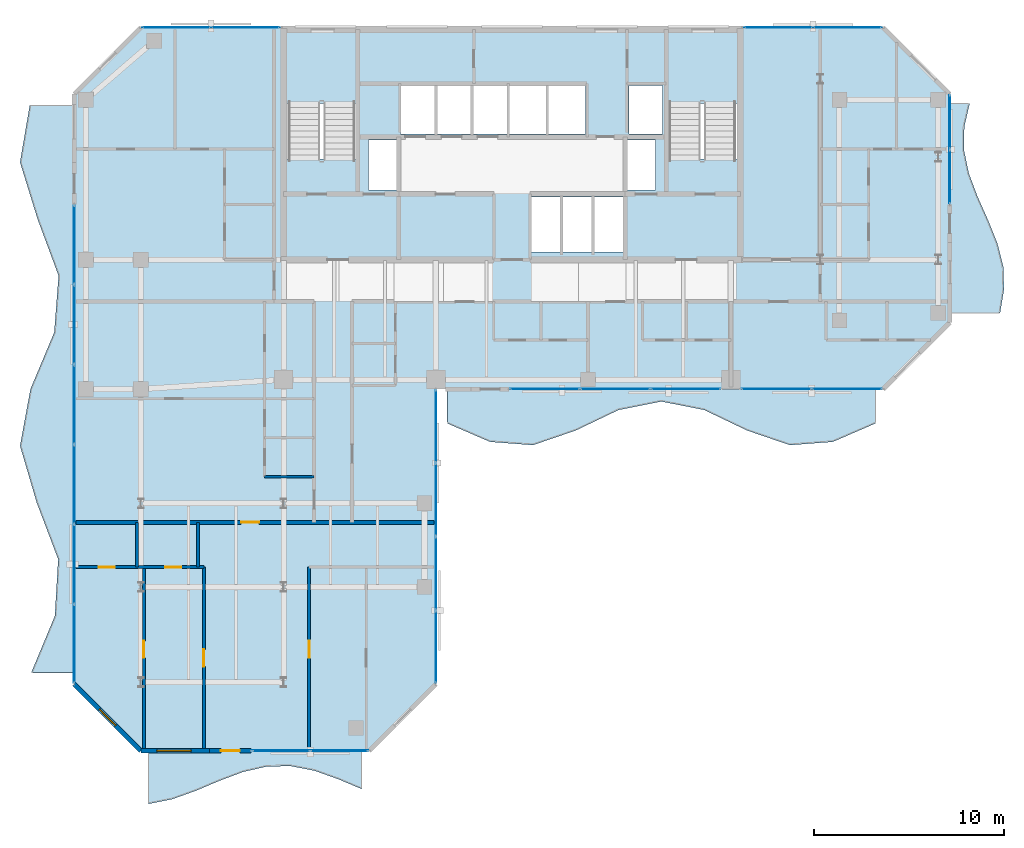
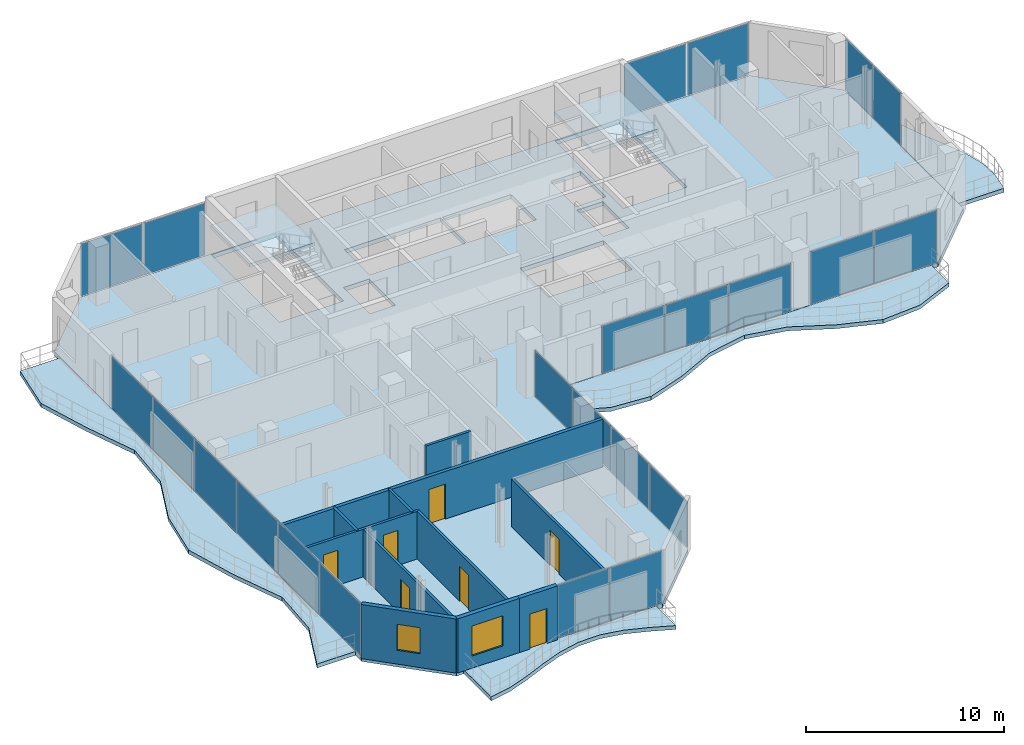
# One storey, part 17 of 24: 23 plates, 11 walls, 7 doors, 7 slabs, 2 windows, 9 openings, 10 elements without a shape of their own.
"""IFC4 building model written with IfcOpenShell, lengths in metres."""

from ifc_helpers import new_model, si_unit, direction, frame, frame_2d, origin, origin_2d, place, context, subcontext, project, spatial, polyline, rectangle, outline, extrude, material, layer, layer_set, type_object, element, fill, aggregate, save


model = new_model("IFC4")

# Units and contexts
model_context = context("Model", 3, precision=1e-05, world=origin(), true_north=direction((0.0, 1.0)))
body_context = subcontext(model_context, "Body", "Model", "MODEL_VIEW")
ifc_project = project(units=[si_unit("LENGTHUNIT", "METRE"), si_unit("AREAUNIT", "SQUARE_METRE"), si_unit("VOLUMEUNIT", "CUBIC_METRE"), si_unit("PLANEANGLEUNIT", "RADIAN"), si_unit("MASSUNIT", "GRAM", prefix="KILO")], contexts=[model_context])

# Site, building, storey
site_placement = place(None, origin())
site = spatial("IfcSite", under=ifc_project, at=site_placement, CompositionType="ELEMENT")
building_placement = place(site_placement, origin())
building = spatial("IfcBuilding", under=site, at=building_placement, Name="Catumbela Crestline Tower", CompositionType="ELEMENT")
storey_placement = place(building_placement, frame((0.0, 0.0, 154.2)))
storey = spatial("IfcBuildingStorey", under=building, at=storey_placement, Name="L39", CompositionType="ELEMENT", Elevation=154.2)

# Curtain wall, plates
ifc_material_1 = material(Name="Aluminium alloy AW-6060-T66", Category="aluminium")
ifc_layer_1 = layer(ifc_material_1, 0.18, Name="Aluminium alloy AW-6060-T66")
ifc_layer_set_1 = layer_set([ifc_layer_1], Name="Aluminium alloy AW-6060-T66")
curtain_wall_type = type_object("IfcCurtainWallType", Name="CWU-Z3", PredefinedType="USERDEFINED", material=ifc_layer_set_1)
curtain_wall_1_placement = place(storey_placement, origin())
curtain_wall_1 = element("IfcCurtainWall", 1, at=curtain_wall_1_placement, inside=storey, type_object=curtain_wall_type, Name="L39 Unitised Curtain Wall CW-L39-E0S2", ObjectType="UNITISED", PredefinedType="USERDEFINED")
ifc_material_2 = material(Name="Low-E laminated solar-control double glazing", Category="glass")
ifc_layer_2 = layer(ifc_material_2, 0.036, Name="Low-E laminated solar-control double glazing")
ifc_layer_set_2 = layer_set([ifc_layer_2], Name="Low-E laminated solar-control double glazing")
plate_type = type_object("IfcPlateType", Name="PNL-GLZ-Z3", PredefinedType="CURTAIN_PANEL", material=ifc_layer_set_2)
plate_1_placement = place(storey_placement, frame((15.8662, 5.0, 0.06), z_axis=(0.0, 0.0, 1.0), x_axis=(1.0, 0.0, 0.0)))
plate_1 = element("IfcPlate", 2, at=plate_1_placement, type_object=plate_type, Name="CWU-Z3 panel 1.1", PredefinedType="CURTAIN_PANEL", context=body_context, shape_type="SweptSolid", body=[
    extrude(rectangle(XDim=3.0025, YDim=0.034, at=origin_2d()), origin(), (0.0, 0.0, 1.0), 3.21),
])
plate_2_placement = place(storey_placement, frame((18.9338, 5.0, 0.06), z_axis=(0.0, 0.0, 1.0), x_axis=(1.0, 0.0, 0.0)))
plate_2 = element("IfcPlate", 3, at=plate_2_placement, type_object=plate_type, Name="CWU-Z3 panel 2.1", PredefinedType="CURTAIN_PANEL", context=body_context, shape_type="SweptSolid", body=[
    extrude(rectangle(XDim=3.0025, YDim=0.034, at=origin_2d()), origin(), (0.0, 0.0, 1.0), 3.21),
])
aggregate(curtain_wall_1, [plate_1, plate_2])

curtain_wall_2_placement = place(storey_placement, origin())
curtain_wall_2 = element("IfcCurtainWall", 4, at=curtain_wall_2_placement, inside=storey, type_object=curtain_wall_type, Name="L39 Unitised Curtain Wall CW-L39-E2S1", ObjectType="UNITISED", PredefinedType="USERDEFINED")
plate_3_placement = place(storey_placement, frame((24.0, 10.4538, 0.06), z_axis=(0.0, 0.0, 1.0), x_axis=(0.0, 1.0, 0.0)))
plate_3 = element("IfcPlate", 5, at=plate_3_placement, type_object=plate_type, Name="CWU-Z3 panel 1.1", PredefinedType="CURTAIN_PANEL", context=body_context, shape_type="SweptSolid", body=[
    extrude(rectangle(XDim=3.7775, YDim=0.034, at=origin_2d()), origin(), (0.0, 0.0, 1.0), 2.81),
])
plate_4_placement = place(storey_placement, frame((24.0, 14.3125, 0.06), z_axis=(0.0, 0.0, 1.0), x_axis=(0.0, 1.0, 0.0)))
plate_4 = element("IfcPlate", 6, at=plate_4_placement, type_object=plate_type, Name="CWU-Z3 panel 2.1", PredefinedType="CURTAIN_PANEL", context=body_context, shape_type="SweptSolid", body=[
    extrude(rectangle(XDim=3.81, YDim=0.034, at=origin_2d()), origin(), (0.0, 0.0, 1.0), 2.81),
])
plate_5_placement = place(storey_placement, frame((24.0, 18.1875, 0.06), z_axis=(0.0, 0.0, 1.0), x_axis=(0.0, 1.0, 0.0)))
plate_5 = element("IfcPlate", 7, at=plate_5_placement, type_object=plate_type, Name="CWU-Z3 panel 3.1", PredefinedType="CURTAIN_PANEL", context=body_context, shape_type="SweptSolid", body=[
    extrude(rectangle(XDim=3.81, YDim=0.034, at=origin_2d()), origin(), (0.0, 0.0, 1.0), 2.81),
])
plate_6_placement = place(storey_placement, frame((24.0, 22.0462, 0.06), z_axis=(0.0, 0.0, 1.0), x_axis=(0.0, 1.0, 0.0)))
plate_6 = element("IfcPlate", 8, at=plate_6_placement, type_object=plate_type, Name="CWU-Z3 panel 4.1", PredefinedType="CURTAIN_PANEL", context=body_context, shape_type="SweptSolid", body=[
    extrude(rectangle(XDim=3.7775, YDim=0.034, at=origin_2d()), origin(), (0.0, 0.0, 1.0), 2.81),
])
aggregate(curtain_wall_2, [plate_3, plate_4, plate_5, plate_6])

curtain_wall_3_placement = place(storey_placement, origin())
curtain_wall_3 = element("IfcCurtainWall", 9, at=curtain_wall_3_placement, inside=storey, type_object=curtain_wall_type, Name="L39 Unitised Curtain Wall CW-L39-E3S2", ObjectType="UNITISED", PredefinedType="USERDEFINED")
plate_7_placement = place(storey_placement, frame((29.7246, 24.0, 0.06), z_axis=(0.0, 0.0, 1.0), x_axis=(1.0, 0.0, 0.0)))
plate_7 = element("IfcPlate", 10, at=plate_7_placement, type_object=plate_type, Name="CWU-Z3 panel 1.1", PredefinedType="CURTAIN_PANEL", context=body_context, shape_type="SweptSolid", body=[
    extrude(rectangle(XDim=3.6192, YDim=0.034, at=origin_2d()), origin(), (0.0, 0.0, 1.0), 2.89),
])
plate_8_placement = place(storey_placement, frame((33.425, 24.0, 0.06), z_axis=(0.0, 0.0, 1.0), x_axis=(1.0, 0.0, 0.0)))
plate_8 = element("IfcPlate", 11, at=plate_8_placement, type_object=plate_type, Name="CWU-Z3 panel 2.1", PredefinedType="CURTAIN_PANEL", context=body_context, shape_type="SweptSolid", body=[
    extrude(rectangle(XDim=3.6517, YDim=0.034, at=origin_2d()), origin(), (0.0, 0.0, 1.0), 2.89),
])
plate_9_placement = place(storey_placement, frame((37.1254, 24.0, 0.06), z_axis=(0.0, 0.0, 1.0), x_axis=(1.0, 0.0, 0.0)))
plate_9 = element("IfcPlate", 12, at=plate_9_placement, type_object=plate_type, Name="CWU-Z3 panel 3.1", PredefinedType="CURTAIN_PANEL", context=body_context, shape_type="SweptSolid", body=[
    extrude(rectangle(XDim=3.6192, YDim=0.034, at=origin_2d()), origin(), (0.0, 0.0, 1.0), 2.89),
])
aggregate(curtain_wall_3, [plate_7, plate_8, plate_9])

curtain_wall_4_placement = place(storey_placement, origin())
curtain_wall_4 = element("IfcCurtainWall", 13, at=curtain_wall_4_placement, inside=storey, type_object=curtain_wall_type, Name="L39 Unitised Curtain Wall CW-L39-E3S3", ObjectType="UNITISED", PredefinedType="USERDEFINED")
plate_10_placement = place(storey_placement, frame((41.8912, 24.0, 0.06), z_axis=(0.0, 0.0, 1.0), x_axis=(1.0, 0.0, 0.0)))
plate_10 = element("IfcPlate", 14, at=plate_10_placement, type_object=plate_type, Name="CWU-Z3 panel 1.1", PredefinedType="CURTAIN_PANEL", context=body_context, shape_type="SweptSolid", body=[
    extrude(rectangle(XDim=3.6525, YDim=0.034, at=origin_2d()), origin(), (0.0, 0.0, 1.0), 3.21),
])
plate_11_placement = place(storey_placement, frame((45.6088, 24.0, 0.06), z_axis=(0.0, 0.0, 1.0), x_axis=(1.0, 0.0, 0.0)))
plate_11 = element("IfcPlate", 15, at=plate_11_placement, type_object=plate_type, Name="CWU-Z3 panel 2.1", PredefinedType="CURTAIN_PANEL", context=body_context, shape_type="SweptSolid", body=[
    extrude(rectangle(XDim=3.6525, YDim=0.034, at=origin_2d()), origin(), (0.0, 0.0, 1.0), 3.21),
])
aggregate(curtain_wall_4, [plate_10, plate_11])

curtain_wall_5_placement = place(storey_placement, origin())
curtain_wall_5 = element("IfcCurtainWall", 16, at=curtain_wall_5_placement, inside=storey, type_object=curtain_wall_type, Name="L39 Unitised Curtain Wall CW-L39-E5S2", ObjectType="UNITISED", PredefinedType="USERDEFINED")
plate_12_placement = place(storey_placement, frame((51.0, 35.1662, 0.06), z_axis=(0.0, 0.0, 1.0), x_axis=(0.0, 1.0, 0.0)))
plate_12 = element("IfcPlate", 17, at=plate_12_placement, type_object=plate_type, Name="CWU-Z3 panel 1.1", PredefinedType="CURTAIN_PANEL", context=body_context, shape_type="SweptSolid", body=[
    extrude(rectangle(XDim=2.8025, YDim=0.034, at=origin_2d()), origin(), (0.0, 0.0, 1.0), 3.21),
])
plate_13_placement = place(storey_placement, frame((51.0, 38.0338, 0.06), z_axis=(0.0, 0.0, 1.0), x_axis=(0.0, 1.0, 0.0)))
plate_13 = element("IfcPlate", 18, at=plate_13_placement, type_object=plate_type, Name="CWU-Z3 panel 2.1", PredefinedType="CURTAIN_PANEL", context=body_context, shape_type="SweptSolid", body=[
    extrude(rectangle(XDim=2.8025, YDim=0.034, at=origin_2d()), origin(), (0.0, 0.0, 1.0), 3.21),
])
aggregate(curtain_wall_5, [plate_12, plate_13])

curtain_wall_6_placement = place(storey_placement, origin())
curtain_wall_6 = element("IfcCurtainWall", 19, at=curtain_wall_6_placement, inside=storey, type_object=curtain_wall_type, Name="L39 Unitised Curtain Wall CW-L39-E7S1", ObjectType="UNITISED", PredefinedType="USERDEFINED")
plate_14_placement = place(storey_placement, frame((45.6438, 43.0, 0.06), z_axis=(0.0, 0.0, 1.0), x_axis=(-1.0, 0.0, 0.0)))
plate_14 = element("IfcPlate", 20, at=plate_14_placement, type_object=plate_type, Name="CWU-Z3 panel 1.1", PredefinedType="CURTAIN_PANEL", context=body_context, shape_type="SweptSolid", body=[
    extrude(rectangle(XDim=3.5825, YDim=0.034, at=origin_2d()), origin(), (0.0, 0.0, 1.0), 3.21),
])
plate_15_placement = place(storey_placement, frame((41.9963, 43.0, 0.06), z_axis=(0.0, 0.0, 1.0), x_axis=(-1.0, 0.0, 0.0)))
plate_15 = element("IfcPlate", 21, at=plate_15_placement, type_object=plate_type, Name="CWU-Z3 panel 2.1", PredefinedType="CURTAIN_PANEL", context=body_context, shape_type="SweptSolid", body=[
    extrude(rectangle(XDim=3.5825, YDim=0.034, at=origin_2d()), origin(), (0.0, 0.0, 1.0), 3.21),
])
aggregate(curtain_wall_6, [plate_14, plate_15])

curtain_wall_7_placement = place(storey_placement, origin())
curtain_wall_7 = element("IfcCurtainWall", 22, at=curtain_wall_7_placement, inside=storey, type_object=curtain_wall_type, Name="L39 Unitised Curtain Wall CW-L39-E7S2", ObjectType="UNITISED", PredefinedType="USERDEFINED")
plate_16_placement = place(storey_placement, frame((14.0038, 43.0, 0.06), z_axis=(0.0, 0.0, 1.0), x_axis=(-1.0, 0.0, 0.0)))
plate_16 = element("IfcPlate", 23, at=plate_16_placement, type_object=plate_type, Name="CWU-Z3 panel 1.1", PredefinedType="CURTAIN_PANEL", context=body_context, shape_type="SweptSolid", body=[
    extrude(rectangle(XDim=3.5825, YDim=0.034, at=origin_2d()), origin(), (0.0, 0.0, 1.0), 3.21),
])
plate_17_placement = place(storey_placement, frame((10.3562, 43.0, 0.06), z_axis=(0.0, 0.0, 1.0), x_axis=(-1.0, 0.0, 0.0)))
plate_17 = element("IfcPlate", 24, at=plate_17_placement, type_object=plate_type, Name="CWU-Z3 panel 2.1", PredefinedType="CURTAIN_PANEL", context=body_context, shape_type="SweptSolid", body=[
    extrude(rectangle(XDim=3.5825, YDim=0.034, at=origin_2d()), origin(), (0.0, 0.0, 1.0), 3.21),
])
aggregate(curtain_wall_7, [plate_16, plate_17])

curtain_wall_8_placement = place(storey_placement, origin())
curtain_wall_8 = element("IfcCurtainWall", 25, at=curtain_wall_8_placement, inside=storey, type_object=curtain_wall_type, Name="L39 Unitised Curtain Wall CW-L39-E9S2", ObjectType="UNITISED", PredefinedType="USERDEFINED")
plate_18_placement = place(storey_placement, frame((5.0, 31.5838, 0.06), z_axis=(0.0, 0.0, 1.0), x_axis=(0.0, -1.0, 0.0)))
plate_18 = element("IfcPlate", 26, at=plate_18_placement, type_object=plate_type, Name="CWU-Z3 panel 1.1", PredefinedType="CURTAIN_PANEL", context=body_context, shape_type="SweptSolid", body=[
    extrude(rectangle(XDim=4.1025, YDim=0.034, at=origin_2d()), origin(), (0.0, 0.0, 1.0), 3.21),
])
plate_19_placement = place(storey_placement, frame((5.0, 27.4, 0.06), z_axis=(0.0, 0.0, 1.0), x_axis=(0.0, -1.0, 0.0)))
plate_19 = element("IfcPlate", 27, at=plate_19_placement, type_object=plate_type, Name="CWU-Z3 panel 2.1", PredefinedType="CURTAIN_PANEL", context=body_context, shape_type="SweptSolid", body=[
    extrude(rectangle(XDim=4.135, YDim=0.034, at=origin_2d()), origin(), (0.0, 0.0, 1.0), 3.21),
])
plate_20_placement = place(storey_placement, frame((5.0, 23.2, 0.06), z_axis=(0.0, 0.0, 1.0), x_axis=(0.0, -1.0, 0.0)))
plate_20 = element("IfcPlate", 28, at=plate_20_placement, type_object=plate_type, Name="CWU-Z3 panel 3.1", PredefinedType="CURTAIN_PANEL", context=body_context, shape_type="SweptSolid", body=[
    extrude(rectangle(XDim=4.135, YDim=0.034, at=origin_2d()), origin(), (0.0, 0.0, 1.0), 3.21),
])
plate_21_placement = place(storey_placement, frame((5.0, 19.0, 0.06), z_axis=(0.0, 0.0, 1.0), x_axis=(0.0, -1.0, 0.0)))
plate_21 = element("IfcPlate", 29, at=plate_21_placement, type_object=plate_type, Name="CWU-Z3 panel 4.1", PredefinedType="CURTAIN_PANEL", context=body_context, shape_type="SweptSolid", body=[
    extrude(rectangle(XDim=4.135, YDim=0.034, at=origin_2d()), origin(), (0.0, 0.0, 1.0), 3.21),
])
plate_22_placement = place(storey_placement, frame((5.0, 14.8, 0.06), z_axis=(0.0, 0.0, 1.0), x_axis=(0.0, -1.0, 0.0)))
plate_22 = element("IfcPlate", 30, at=plate_22_placement, type_object=plate_type, Name="CWU-Z3 panel 5.1", PredefinedType="CURTAIN_PANEL", context=body_context, shape_type="SweptSolid", body=[
    extrude(rectangle(XDim=4.135, YDim=0.034, at=origin_2d()), origin(), (0.0, 0.0, 1.0), 3.21),
])
plate_23_placement = place(storey_placement, frame((5.0, 10.6163, 0.06), z_axis=(0.0, 0.0, 1.0), x_axis=(0.0, -1.0, 0.0)))
plate_23 = element("IfcPlate", 31, at=plate_23_placement, type_object=plate_type, Name="CWU-Z3 panel 6.1", PredefinedType="CURTAIN_PANEL", context=body_context, shape_type="SweptSolid", body=[
    extrude(rectangle(XDim=4.1025, YDim=0.034, at=origin_2d()), origin(), (0.0, 0.0, 1.0), 3.21),
])
aggregate(curtain_wall_8, [plate_18, plate_19, plate_20, plate_21, plate_22, plate_23])

# Stair, slab
ifc_material_3 = material(Name="Concrete C45/55", Category="concrete")
stair_type = type_object("IfcStairType", Name="ST-DLG", PredefinedType="HALF_TURN_STAIR", material=ifc_material_3)
stair_1_placement = place(storey_placement, origin())
stair_1 = element("IfcStair", 32, at=stair_1_placement, inside=storey, type_object=stair_type, Name="L39 West Core Pressurised Exit Stair ST-01", PredefinedType="HALF_TURN_STAIR")
ifc_layer_3 = layer(ifc_material_3, 0.2, Name="Concrete C45/55")
ifc_layer_set_3 = layer_set([ifc_layer_3], Name="Concrete C45/55")
slab_type_1 = type_object("IfcSlabType", Name="SL-LND", PredefinedType="LANDING", material=ifc_layer_set_3)
slab_1_placement = place(storey_placement, frame((0.0, 0.0, 1.6)))
slab_1 = element("IfcSlab", 33, at=slab_1_placement, type_object=slab_type_1, Name="ST-01 landing 1", PredefinedType="LANDING", context=body_context, shape_type="SweptSolid", body=[
    extrude(outline(polyline([(19.91, 39.02), (19.91, 42.96), (16.09, 42.96), (16.09, 39.02), (19.91, 39.02)])), origin(), (0.0, 0.0, 1.0), 0.2),
])
aggregate(stair_1, [slab_1])

stair_2_placement = place(storey_placement, origin())
stair_2 = element("IfcStair", 34, at=stair_2_placement, inside=storey, type_object=stair_type, Name="L39 East Core Pressurised Exit Stair ST-02", PredefinedType="HALF_TURN_STAIR")
slab_2_placement = place(storey_placement, frame((0.0, 0.0, 1.6)))
slab_2 = element("IfcSlab", 35, at=slab_2_placement, type_object=slab_type_1, Name="ST-02 landing 1", PredefinedType="LANDING", context=body_context, shape_type="SweptSolid", body=[
    extrude(outline(polyline([(39.91, 39.02), (39.91, 42.96), (36.09, 42.96), (36.09, 39.02), (39.91, 39.02)])), origin(), (0.0, 0.0, 1.0), 0.2),
])
aggregate(stair_2, [slab_2])

# Slabs
ifc_layer_4 = layer(ifc_material_3, 0.26, Name="Concrete C45/55")
ifc_layer_set_4 = layer_set([ifc_layer_4], Name="Concrete C45/55")
slab_type_2 = type_object("IfcSlabType", Name="SL-260", PredefinedType="FLOOR", material=ifc_layer_set_4)
slab_3_placement = place(storey_placement, frame((0.0, 0.0, -0.26)))
element("IfcSlab", 36, at=slab_3_placement, inside=storey, type_object=slab_type_2, Name="L39 Structural Floor Slab", PredefinedType="FLOOR", context=body_context, shape_type="SweptSolid", body=[
    extrude(outline(polyline([(8.5, 5.0), (20.5, 5.0), (24.0, 8.5), (24.0, 24.0), (47.5, 24.0), (51.0, 27.5), (51.0, 39.5), (47.5, 43.0), (8.5, 43.0), (5.0, 39.5), (5.0, 8.5), (8.5, 5.0)]), holes=[polyline([(16.13, 36.08), (19.87, 36.08), (19.87, 42.92), (16.13, 42.92), (16.13, 36.08)]), polyline([(36.13, 36.08), (39.87, 36.08), (39.87, 42.92), (36.13, 42.92), (36.13, 36.08)]), polyline([(29.0, 31.2), (33.85, 31.2), (33.85, 34.1), (29.0, 34.1), (29.0, 31.2)]), polyline([(22.15, 37.4), (27.75, 37.4), (27.75, 39.95), (22.15, 39.95), (22.15, 37.4)]), polyline([(27.85, 37.4), (31.85, 37.4), (31.85, 39.95), (27.85, 39.95), (27.85, 37.4)]), polyline([(20.45, 34.45), (21.95, 34.45), (21.95, 37.1), (20.45, 37.1), (20.45, 34.45)]), polyline([(34.05, 34.45), (35.55, 34.45), (35.55, 37.1), (34.05, 37.1), (34.05, 34.45)]), polyline([(34.15, 37.4), (35.9, 37.4), (35.9, 39.95), (34.15, 39.95), (34.15, 37.4)])]), origin(), (0.0, 0.0, 1.0), 0.26),
])
ifc_layer_5 = layer(ifc_material_3, 0.24, Name="Concrete C45/55")
ifc_layer_set_5 = layer_set([ifc_layer_5], Name="Concrete C45/55")
slab_type_3 = type_object("IfcSlabType", Name="SB-240W", PredefinedType="USERDEFINED", material=ifc_layer_set_5)
slab_4_placement = place(storey_placement, frame((0.0, 0.0, -0.24)))
element("IfcSlab", 37, at=slab_4_placement, inside=storey, type_object=slab_type_3, Name="L39 Cantilevered Wave Balcony Slab SPINE-S", ObjectType="BALCONY", PredefinedType="USERDEFINED", context=body_context, shape_type="SweptSolid", body=[
    extrude(outline(polyline([(24.6, 22.2), (26.85, 21.2292), (29.1, 21.0587), (31.35, 21.8292), (33.6, 22.9053), (35.85, 23.35), (38.1, 22.9053), (40.35, 21.8292), (42.6, 21.0587), (44.85, 21.2292), (47.1, 22.2), (47.1, 23.99), (24.6, 23.99), (24.6, 22.2)])), origin(), (0.0, 0.0, 1.0), 0.24),
])
slab_5_placement = place(storey_placement, frame((0.0, 0.0, -0.24)))
element("IfcSlab", 38, at=slab_5_placement, inside=storey, type_object=slab_type_3, Name="L39 Cantilevered Wave Balcony Slab SPINE-E", ObjectType="BALCONY", PredefinedType="USERDEFINED", context=body_context, shape_type="SweptSolid", body=[
    extrude(outline(polyline([(51.01, 28.0), (53.646, 28.0), (53.85, 29.2222), (53.8134, 30.4444), (53.5005, 31.6667), (53.0079, 32.8889), (52.4621, 34.1111), (52.0029, 35.3333), (51.7481, 36.5556), (51.7631, 37.7778), (52.0439, 39.0), (51.01, 39.0), (51.01, 28.0)])), origin(), (0.0, 0.0, 1.0), 0.24),
])
slab_6_placement = place(storey_placement, frame((0.0, 0.0, -0.24)))
element("IfcSlab", 39, at=slab_6_placement, inside=storey, type_object=slab_type_3, Name="L39 Cantilevered Wave Balcony Slab WING-S", ObjectType="BALCONY", PredefinedType="USERDEFINED", context=body_context, shape_type="SweptSolid", body=[
    extrude(outline(polyline([(8.9, 2.2067), (10.1444, 2.454), (11.3889, 2.8995), (12.6333, 3.4248), (13.8778, 3.8904), (15.1222, 4.1726), (16.3667, 4.1965), (17.6111, 3.9556), (18.8556, 3.5141), (20.1, 2.9891), (20.1, 4.99), (8.9, 4.99), (8.9, 2.2067)])), origin(), (0.0, 0.0, 1.0), 0.24),
])
slab_7_placement = place(storey_placement, frame((0.0, 0.0, -0.24)))
element("IfcSlab", 40, at=slab_7_placement, inside=storey, type_object=slab_type_3, Name="L39 Cantilevered Wave Balcony Slab WEST", ObjectType="BALCONY", PredefinedType="USERDEFINED", context=body_context, shape_type="SweptSolid", body=[
    extrude(outline(polyline([(4.99, 38.9), (2.6583, 38.9), (2.15, 35.92), (3.071, 32.94), (4.1761, 29.96), (3.9478, 26.98), (2.6979, 24.0), (2.15, 21.02), (3.0262, 18.04), (4.1559, 15.06), (3.9797, 12.08), (2.7384, 9.1), (4.99, 9.1), (4.99, 38.9)])), origin(), (0.0, 0.0, 1.0), 0.24),
])

# Wall, opening, door
ifc_material_4 = material(Name="Angolan grey-ochre granite", Category="masonry")
ifc_layer_6 = layer(ifc_material_4, 0.25, Name="Angolan grey-ochre granite")
ifc_layer_set_6 = layer_set([ifc_layer_6], Name="Angolan grey-ochre granite")
wall_type_1 = type_object("IfcWallType", Name="WE-250", PredefinedType="STANDARD", material=ifc_layer_set_6)
wall_1_placement = place(storey_placement, frame((12.1, 5.0, 0.0), z_axis=(0.0, 0.0, 1.0), x_axis=(1.0, 0.0, 0.0)))
wall_1 = element("IfcWall", 41, at=wall_1_placement, inside=storey, type_object=wall_type_1, Name="L39 Exterior Threshold Portal Wall DR-L39-WBAL-3", PredefinedType="STANDARD", context=body_context, shape_type="SweptSolid", body=[
    extrude(rectangle(XDim=2.2, YDim=0.25, at=frame_2d((1.1, 0.0))), origin(), (0.0, 0.0, 1.0), 3.33),
])
opening_1_placement = place(wall_1_placement, frame((0.6, 0.0, 0.0)))
opening_1 = element("IfcOpeningElement", 42, at=opening_1_placement, cuts=wall_1, Name="Opening DB-L39-3", PredefinedType="OPENING", context=body_context, shape_type="SweptSolid", body=[
    extrude(rectangle(XDim=1.0, YDim=2.15, at=frame_2d((0.5, 1.075))), frame((0.0, 0.135, 0.0), z_axis=(0.0, -1.0, 0.0), x_axis=(1.0, 0.0, 0.0)), (0.0, 0.0, 1.0), 0.27),
])
door_type_1 = type_object("IfcDoorType", Name="DB-1000", OperationType="NOTDEFINED", PredefinedType="DOOR", material=ifc_material_1)
door_1_placement = place(opening_1_placement, origin())
door_1 = element("IfcDoor", 43, at=door_1_placement, inside=storey, type_object=door_type_1, Name="L39 Wave Balcony Terrace Door 3", OperationType="SINGLE_SWING_LEFT", OverallHeight=2.15, OverallWidth=1.0, PredefinedType="DOOR", context=body_context, shape_type="SweptSolid", body=[
    extrude(rectangle(XDim=1.0, YDim=2.15, at=frame_2d((0.5, 1.075))), frame((0.0, 0.025, 0.0), z_axis=(0.0, -1.0, 0.0), x_axis=(1.0, 0.0, 0.0)), (0.0, 0.0, 1.0), 0.05),
])
fill(opening_1, door_1)

# Wall, opening, window
wall_2_placement = place(storey_placement, frame((8.5, 5.0, 0.0), z_axis=(0.0, 0.0, 1.0), x_axis=(1.0, 0.0, 0.0)))
wall_2 = element("IfcWall", 44, at=wall_2_placement, inside=storey, type_object=wall_type_1, Name="L39 Granite Punched Window Wall 0-1", PredefinedType="STANDARD", context=body_context, shape_type="SweptSolid", body=[
    extrude(rectangle(XDim=3.6, YDim=0.25, at=frame_2d((1.8, 0.0))), origin(), (0.0, 0.0, 1.0), 3.33),
])
opening_2_placement = place(wall_2_placement, frame((0.835, 0.0, 0.75)))
opening_2 = element("IfcOpeningElement", 45, at=opening_2_placement, cuts=wall_2, Name="Opening WN-01", PredefinedType="OPENING", context=body_context, shape_type="SweptSolid", body=[
    extrude(rectangle(XDim=1.8, YDim=1.85, at=frame_2d((0.9, 0.925))), frame((0.0, 0.135, 0.0), z_axis=(0.0, -1.0, 0.0), x_axis=(1.0, 0.0, 0.0)), (0.0, 0.0, 1.0), 0.27),
])
window_type_1 = type_object("IfcWindowType", Name="WF-1800", PartitioningType="SINGLE_PANEL", PredefinedType="WINDOW", material=ifc_material_2)
window_1_placement = place(opening_2_placement, origin())
window_1 = element("IfcWindow", 46, at=window_1_placement, inside=storey, type_object=window_type_1, Name="L39 Facade Vision Window 217", OverallHeight=1.85, OverallWidth=1.8, PartitioningType="SINGLE_PANEL", PredefinedType="WINDOW", context=body_context, shape_type="SweptSolid", body=[
    extrude(rectangle(XDim=1.8, YDim=1.85, at=frame_2d((0.9, 0.925))), frame((0.0, 0.03, 0.0), z_axis=(0.0, -1.0, 0.0), x_axis=(1.0, 0.0, 0.0)), (0.0, 0.0, 1.0), 0.06),
])
fill(opening_2, window_1)

wall_3_placement = place(storey_placement, frame((5.0, 8.5, 0.0), z_axis=(0.0, 0.0, 1.0), x_axis=(0.707106781187, -0.707106781187, 0.0)))
wall_3 = element("IfcWall", 47, at=wall_3_placement, inside=storey, type_object=wall_type_1, Name="L39 Granite Punched Window Wall 10-1", PredefinedType="STANDARD", context=body_context, shape_type="SweptSolid", body=[
    extrude(rectangle(XDim=4.9497, YDim=0.25, at=frame_2d((2.4748, 0.0))), origin(), (0.0, 0.0, 1.0), 3.33),
])
opening_3_placement = place(wall_3_placement, frame((1.8748, 0.0, 0.85)))
opening_3 = element("IfcOpeningElement", 48, at=opening_3_placement, cuts=wall_3, Name="Opening WN-02", PredefinedType="OPENING", context=body_context, shape_type="SweptSolid", body=[
    extrude(rectangle(XDim=1.2, YDim=1.6, at=frame_2d((0.6, 0.8))), frame((0.0, 0.135, 0.0), z_axis=(0.0, -1.0, 0.0), x_axis=(1.0, 0.0, 0.0)), (0.0, 0.0, 1.0), 0.27),
])
window_type_2 = type_object("IfcWindowType", Name="WO-1200", PartitioningType="SINGLE_PANEL", PredefinedType="WINDOW", material=ifc_material_2)
window_2_placement = place(opening_3_placement, origin())
window_2 = element("IfcWindow", 49, at=window_2_placement, inside=storey, type_object=window_type_2, Name="L39 Facade Vision Window 224", OverallHeight=1.6, OverallWidth=1.2, PartitioningType="SINGLE_PANEL", PredefinedType="WINDOW", context=body_context, shape_type="SweptSolid", body=[
    extrude(rectangle(XDim=1.2, YDim=1.6, at=frame_2d((0.6, 0.8))), frame((0.0, 0.03, 0.0), z_axis=(0.0, -1.0, 0.0), x_axis=(1.0, 0.0, 0.0)), (0.0, 0.0, 1.0), 0.06),
])
fill(opening_3, window_2)

# Walls
ifc_material_5 = material(Name="Acoustic gypsum and mineral-wool partition")
ifc_layer_7 = layer(ifc_material_5, 0.15, Name="Acoustic gypsum and mineral-wool partition")
ifc_layer_set_7 = layer_set([ifc_layer_7], Name="Acoustic gypsum and mineral-wool partition")
wall_type_2 = type_object("IfcWallType", Name="WP-150", PredefinedType="PARTITIONING", material=ifc_layer_set_7)
wall_4_placement = place(storey_placement, frame((15.0, 19.396, 0.0), z_axis=(0.0, 0.0, 1.0), x_axis=(1.0, 0.0, 0.0)))
element("IfcWall", 50, at=wall_4_placement, inside=storey, type_object=wall_type_2, Name="L39 Interior Partition PW-L39-WL1-KBS", PredefinedType="PARTITIONING", context=body_context, shape_type="SweptSolid", body=[
    extrude(rectangle(XDim=2.6, YDim=0.15, at=frame_2d((1.3, 0.0))), origin(), (0.0, 0.0, 1.0), 2.93),
])
wall_5_placement = place(storey_placement, frame((11.5, 14.65, 0.0), z_axis=(0.0, 0.0, 1.0), x_axis=(0.0, 1.0, 0.0)))
element("IfcWall", 51, at=wall_5_placement, inside=storey, type_object=wall_type_2, Name="L39 Interior Partition PW-L39-SH1-KBE", PredefinedType="PARTITIONING", context=body_context, shape_type="SweptSolid", body=[
    extrude(rectangle(XDim=2.35, YDim=0.15, at=frame_2d((1.175, 0.0))), origin(), (0.0, 0.0, 1.0), 2.96),
])
wall_6_placement = place(storey_placement, frame((8.3, 14.65, 0.0), z_axis=(0.0, 0.0, 1.0), x_axis=(0.0, 1.0, 0.0)))
element("IfcWall", 52, at=wall_6_placement, inside=storey, type_object=wall_type_2, Name="L39 Interior Partition PW-L39-SH1-KBM", PredefinedType="PARTITIONING", context=body_context, shape_type="SweptSolid", body=[
    extrude(rectangle(XDim=2.35, YDim=0.15, at=frame_2d((1.175, 0.0))), origin(), (0.0, 0.0, 1.0), 2.93),
])

# Wall, openings, doors
wall_7_placement = place(storey_placement, frame((5.1, 14.65, 0.0), z_axis=(0.0, 0.0, 1.0), x_axis=(1.0, 0.0, 0.0)))
wall_7 = element("IfcWall", 53, at=wall_7_placement, inside=storey, type_object=wall_type_2, Name="L39 Interior Partition PW-L39-SH1-KBD1", PredefinedType="PARTITIONING", context=body_context, shape_type="SweptSolid", body=[
    extrude(rectangle(XDim=6.71, YDim=0.15, at=frame_2d((3.355, 0.0))), origin(), (0.0, 0.0, 1.0), 2.93),
])
opening_4_placement = place(wall_7_placement, frame((1.175, 0.0, 0.0)))
opening_4 = element("IfcOpeningElement", 54, at=opening_4_placement, cuts=wall_7, Name="Opening DI-085", PredefinedType="OPENING", context=body_context, shape_type="SweptSolid", body=[
    extrude(rectangle(XDim=0.85, YDim=2.15, at=frame_2d((0.425, 1.075))), frame((0.0, 0.085, 0.0), z_axis=(0.0, -1.0, 0.0), x_axis=(1.0, 0.0, 0.0)), (0.0, 0.0, 1.0), 0.17),
])
opening_5_placement = place(wall_7_placement, frame((4.6795, 0.0, 0.0)))
opening_5 = element("IfcOpeningElement", 55, at=opening_5_placement, cuts=wall_7, Name="Opening DI-085", PredefinedType="OPENING", context=body_context, shape_type="SweptSolid", body=[
    extrude(rectangle(XDim=0.85, YDim=2.15, at=frame_2d((0.425, 1.075))), frame((0.0, 0.085, 0.0), z_axis=(0.0, -1.0, 0.0), x_axis=(1.0, 0.0, 0.0)), (0.0, 0.0, 1.0), 0.17),
])
door_type_2 = type_object("IfcDoorType", Name="DI-085", OperationType="NOTDEFINED", PredefinedType="DOOR", material=ifc_material_1)
door_2_placement = place(opening_4_placement, origin())
door_2 = element("IfcDoor", 56, at=door_2_placement, inside=storey, type_object=door_type_2, Name="L39 Interior Door DR-L39-SH1-KIT", OperationType="SINGLE_SWING_LEFT", OverallHeight=2.15, OverallWidth=0.85, PredefinedType="DOOR", context=body_context, shape_type="SweptSolid", body=[
    extrude(rectangle(XDim=0.85, YDim=2.15, at=frame_2d((0.425, 1.075))), frame((0.0, 0.025, 0.0), z_axis=(0.0, -1.0, 0.0), x_axis=(1.0, 0.0, 0.0)), (0.0, 0.0, 1.0), 0.05),
])
fill(opening_4, door_2)
door_3_placement = place(opening_5_placement, origin())
door_3 = element("IfcDoor", 57, at=door_3_placement, inside=storey, type_object=door_type_2, Name="L39 Interior Door DR-L39-SH1-BTH", OperationType="SINGLE_SWING_RIGHT", OverallHeight=2.15, OverallWidth=0.85, PredefinedType="DOOR", context=body_context, shape_type="SweptSolid", body=[
    extrude(rectangle(XDim=0.85, YDim=2.15, at=frame_2d((0.425, 1.075))), frame((0.0, 0.025, 0.0), z_axis=(0.0, -1.0, 0.0), x_axis=(1.0, 0.0, 0.0)), (0.0, 0.0, 1.0), 0.05),
])
fill(opening_5, door_3)

# Wall, opening, door
wall_8_placement = place(storey_placement, frame((8.66, 5.1, 0.0), z_axis=(0.0, 0.0, 1.0), x_axis=(0.0, 1.0, 0.0)))
wall_8 = element("IfcWall", 58, at=wall_8_placement, inside=storey, type_object=wall_type_2, Name="L39 Interior Partition PW-L39-SH1-BDL", PredefinedType="PARTITIONING", context=body_context, shape_type="SweptSolid", body=[
    extrude(rectangle(XDim=9.55, YDim=0.15, at=frame_2d((4.775, 0.0))), origin(), (0.0, 0.0, 1.0), 2.93),
])
opening_6_placement = place(wall_8_placement, frame((4.7789, 0.0, 0.0)))
opening_6 = element("IfcOpeningElement", 59, at=opening_6_placement, cuts=wall_8, Name="Opening DI-090", PredefinedType="OPENING", context=body_context, shape_type="SweptSolid", body=[
    extrude(rectangle(XDim=0.9, YDim=2.15, at=frame_2d((0.45, 1.075))), frame((0.0, 0.085, 0.0), z_axis=(0.0, -1.0, 0.0), x_axis=(1.0, 0.0, 0.0)), (0.0, 0.0, 1.0), 0.17),
])
door_type_3 = type_object("IfcDoorType", Name="DI-090", OperationType="NOTDEFINED", PredefinedType="DOOR", material=ifc_material_1)
door_4_placement = place(opening_6_placement, origin())
door_4 = element("IfcDoor", 60, at=door_4_placement, inside=storey, type_object=door_type_3, Name="L39 Interior Door DR-L39-SH1-BD1", OperationType="SINGLE_SWING_LEFT", OverallHeight=2.15, OverallWidth=0.9, PredefinedType="DOOR", context=body_context, shape_type="SweptSolid", body=[
    extrude(rectangle(XDim=0.9, YDim=2.15, at=frame_2d((0.45, 1.075))), frame((0.0, 0.025, 0.0), z_axis=(0.0, -1.0, 0.0), x_axis=(1.0, 0.0, 0.0)), (0.0, 0.0, 1.0), 0.05),
])
fill(opening_6, door_4)

wall_9_placement = place(storey_placement, frame((17.34, 5.1, 0.0), z_axis=(0.0, 0.0, 1.0), x_axis=(0.0, 1.0, 0.0)))
wall_9 = element("IfcWall", 61, at=wall_9_placement, inside=storey, type_object=wall_type_2, Name="L39 Interior Partition PW-L39-SH1-STW", PredefinedType="PARTITIONING", context=body_context, shape_type="SweptSolid", body=[
    extrude(rectangle(XDim=9.55, YDim=0.15, at=frame_2d((4.775, 0.0))), origin(), (0.0, 0.0, 1.0), 2.93),
])
opening_7_placement = place(wall_9_placement, frame((4.7789, 0.0, 0.0)))
opening_7 = element("IfcOpeningElement", 62, at=opening_7_placement, cuts=wall_9, Name="Opening DI-090", PredefinedType="OPENING", context=body_context, shape_type="SweptSolid", body=[
    extrude(rectangle(XDim=0.9, YDim=2.15, at=frame_2d((0.45, 1.075))), frame((0.0, 0.085, 0.0), z_axis=(0.0, -1.0, 0.0), x_axis=(1.0, 0.0, 0.0)), (0.0, 0.0, 1.0), 0.17),
])
door_5_placement = place(opening_7_placement, origin())
door_5 = element("IfcDoor", 63, at=door_5_placement, inside=storey, type_object=door_type_3, Name="L39 Interior Door DR-L39-SH1-STDY", OperationType="SINGLE_SWING_RIGHT", OverallHeight=2.15, OverallWidth=0.9, PredefinedType="DOOR", context=body_context, shape_type="SweptSolid", body=[
    extrude(rectangle(XDim=0.9, YDim=2.15, at=frame_2d((0.45, 1.075))), frame((0.0, 0.025, 0.0), z_axis=(0.0, -1.0, 0.0), x_axis=(1.0, 0.0, 0.0)), (0.0, 0.0, 1.0), 0.05),
])
fill(opening_7, door_5)

wall_10_placement = place(storey_placement, frame((11.81, 5.1, 0.0), z_axis=(0.0, 0.0, 1.0), x_axis=(0.0, 1.0, 0.0)))
wall_10 = element("IfcWall", 64, at=wall_10_placement, inside=storey, type_object=wall_type_2, Name="L39 Interior Partition PW-L39-SH1-DNW", PredefinedType="PARTITIONING", context=body_context, shape_type="SweptSolid", body=[
    extrude(rectangle(XDim=9.55, YDim=0.15, at=frame_2d((4.775, 0.0))), origin(), (0.0, 0.0, 1.0), 2.93),
])
opening_8_placement = place(wall_10_placement, frame((4.325, 0.0, 0.0)))
opening_8 = element("IfcOpeningElement", 65, at=opening_8_placement, cuts=wall_10, Name="Opening DI-090", PredefinedType="OPENING", context=body_context, shape_type="SweptSolid", body=[
    extrude(rectangle(XDim=0.9, YDim=2.15, at=frame_2d((0.45, 1.075))), frame((0.0, 0.085, 0.0), z_axis=(0.0, -1.0, 0.0), x_axis=(1.0, 0.0, 0.0)), (0.0, 0.0, 1.0), 0.17),
])
door_6_placement = place(opening_8_placement, origin())
door_6 = element("IfcDoor", 66, at=door_6_placement, inside=storey, type_object=door_type_3, Name="L39 Interior Door DR-L39-SH1-FDIN", OperationType="SINGLE_SWING_LEFT", OverallHeight=2.15, OverallWidth=0.9, PredefinedType="DOOR", context=body_context, shape_type="SweptSolid", body=[
    extrude(rectangle(XDim=0.9, YDim=2.15, at=frame_2d((0.45, 1.075))), frame((0.0, 0.025, 0.0), z_axis=(0.0, -1.0, 0.0), x_axis=(1.0, 0.0, 0.0)), (0.0, 0.0, 1.0), 0.05),
])
fill(opening_8, door_6)

ifc_layer_8 = layer(ifc_material_5, 0.2, Name="Acoustic gypsum and mineral-wool partition")
ifc_layer_set_8 = layer_set([ifc_layer_8], Name="Acoustic gypsum and mineral-wool partition")
wall_type_3 = type_object("IfcWallType", Name="WY-200", PredefinedType="PARTITIONING", material=ifc_layer_set_8)
wall_11_placement = place(storey_placement, frame((5.1, 17.0, 0.0), z_axis=(0.0, 0.0, 1.0), x_axis=(1.0, 0.0, 0.0)))
wall_11 = element("IfcWall", 67, at=wall_11_placement, inside=storey, type_object=wall_type_3, Name="L39 Interior Partition PW-L39-SH-WL", PredefinedType="PARTITIONING", context=body_context, shape_type="SweptSolid", body=[
    extrude(rectangle(XDim=18.8, YDim=0.2, at=frame_2d((9.4, 0.0))), origin(), (0.0, 0.0, 1.0), 2.93),
])
opening_9_placement = place(wall_11_placement, frame((8.6693, 0.0, 0.0)))
opening_9 = element("IfcOpeningElement", 68, at=opening_9_placement, cuts=wall_11, Name="Opening DF6-095", PredefinedType="OPENING", context=body_context, shape_type="SweptSolid", body=[
    extrude(rectangle(XDim=0.95, YDim=2.15, at=frame_2d((0.475, 1.075))), frame((0.0, 0.11, 0.0), z_axis=(0.0, -1.0, 0.0), x_axis=(1.0, 0.0, 0.0)), (0.0, 0.0, 1.0), 0.22),
])
door_type_4 = type_object("IfcDoorType", Name="DF6-095", OperationType="NOTDEFINED", PredefinedType="DOOR", material=ifc_material_1)
door_7_placement = place(opening_9_placement, origin())
door_7 = element("IfcDoor", 69, at=door_7_placement, inside=storey, type_object=door_type_4, Name="L39 Interior Door DR-L39-SH1-ENT", OperationType="SINGLE_SWING_LEFT", OverallHeight=2.15, OverallWidth=0.95, PredefinedType="DOOR", context=body_context, shape_type="SweptSolid", body=[
    extrude(rectangle(XDim=0.95, YDim=2.15, at=frame_2d((0.475, 1.075))), frame((0.0, 0.025, 0.0), z_axis=(0.0, -1.0, 0.0), x_axis=(1.0, 0.0, 0.0)), (0.0, 0.0, 1.0), 0.05),
])
fill(opening_9, door_7)

save(model, "model.ifc")
